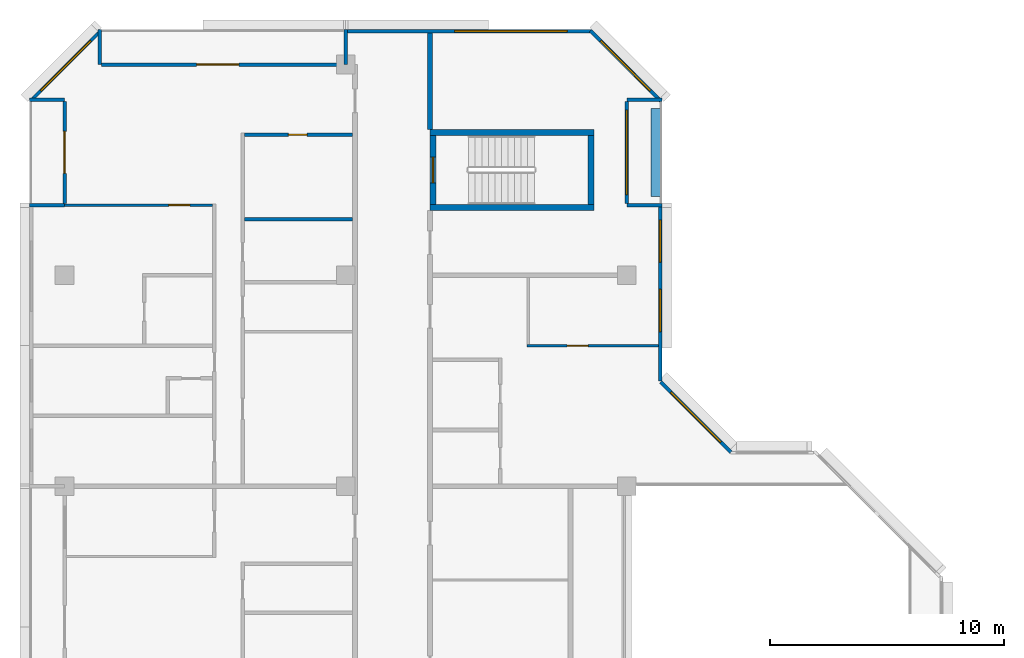
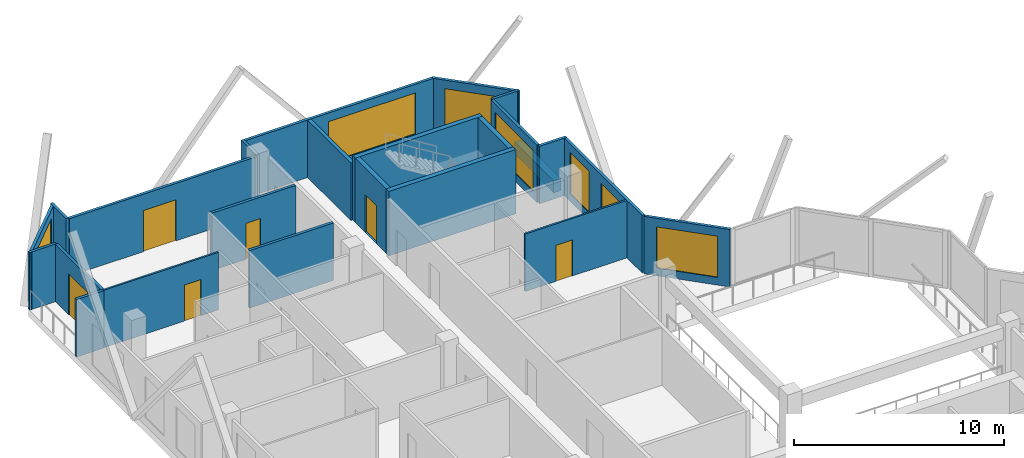
# One storey, part 10 of 13: 24 walls, 7 windows, 6 doors, 13 openings.
"""IFC4 building model written with IfcOpenShell, lengths in metres."""

import ifcopenshell
import ifcopenshell.guid

model = None  # the IFC model being written
_history = None  # IfcOwnerHistory: only IFC2X3 demands one
_inside = {}  # id of a spatial element -> (the spatial element, [elements in it])
_under = {}  # id of a project, library or spatial element -> (it, [spatial elements below it])
_declared = {}  # id of a project -> (the project, [libraries it declares])
_typed = {}  # id of a type object -> (the type object, [elements of that type])
_made_of = {}  # id of a material, layer set ... -> (it, [elements and type objects made of it])


def new_model(schema):
    """Start an empty IFC model of exactly this schema.

    Asked for "IFC4X3", IfcOpenShell would pick the latest addendum, in which some entities
    have other attributes; the version numbers below select the first issue.
    IFC2X3 requires an IfcOwnerHistory on every rooted entity: one is made here for all.
    """
    global model, _history
    if schema == "IFC4X3":
        model = ifcopenshell.file(schema_version=(4, 3, 0, 0))
    else:
        model = ifcopenshell.file(schema=schema)
    _inside.clear()
    _under.clear()
    _declared.clear()
    _typed.clear()
    _made_of.clear()
    _history = None
    if model.schema == "IFC2X3":
        org = make("IfcOrganization", Name="unknown")
        user = make(
            "IfcPersonAndOrganization",
            ThePerson=make("IfcPerson", FamilyName="unknown"),
            TheOrganization=org,
        )
        app = make(
            "IfcApplication",
            ApplicationDeveloper=org,
            Version="unknown",
            ApplicationFullName="unknown",
            ApplicationIdentifier="unknown",
        )
        _history = make(
            "IfcOwnerHistory",
            OwningUser=user,
            OwningApplication=app,
            ChangeAction="ADDED",
            CreationDate=0,
        )
    return model


def make(cls, **values):
    """One entity of the class cls with the attributes given. An attribute that is None is left unset."""
    return model.create_entity(
        cls, **{name: value for name, value in values.items() if value is not None}
    )


def rooted(cls, **values):
    """An entity with a GlobalId (a new one), such as an element, a storey or a relation."""
    return make(cls, GlobalId=ifcopenshell.guid.new(), OwnerHistory=_history, **values)


def si_unit(unit_type, name, prefix=None):
    """IfcSIUnit, for example si_unit("LENGTHUNIT", "METRE", prefix="MILLI")."""
    return make("IfcSIUnit", UnitType=unit_type, Prefix=prefix, Name=name)


def assignment(units):
    """IfcUnitAssignment: the units of a project."""
    return None if units is None else make("IfcUnitAssignment", Units=units)


def point(xyz):
    """IfcCartesianPoint."""
    return None if xyz is None else make("IfcCartesianPoint", Coordinates=xyz)


def direction(xyz):
    """IfcDirection."""
    return None if xyz is None else make("IfcDirection", DirectionRatios=xyz)


def frame(location, z_axis=None, x_axis=None):
    """IfcAxis2Placement3D, a coordinate frame: its origin and axes. An axis left out is left unset."""
    return make(
        "IfcAxis2Placement3D",
        Location=point(location),
        Axis=direction(z_axis),
        RefDirection=direction(x_axis),
    )


def frame_2d(location, x_axis=None):
    """IfcAxis2Placement2D, a coordinate frame in the plane: its origin and x axis."""
    return make(
        "IfcAxis2Placement2D", Location=point(location), RefDirection=direction(x_axis)
    )


def origin():
    """The frame at (0, 0, 0) with its axes left unset."""
    return frame((0.0, 0.0, 0.0))


def place(relative_to, where):
    """IfcLocalPlacement: puts the frame where relative to a parent placement (None: the world)."""
    return make(
        "IfcLocalPlacement", PlacementRelTo=relative_to, RelativePlacement=where
    )


def context(
    kind, dimensions, precision=None, world=None, true_north=None, identifier=None
):
    """IfcGeometricRepresentationContext, for example the 3D "Model" context."""
    return make(
        "IfcGeometricRepresentationContext",
        ContextIdentifier=identifier,
        ContextType=kind,
        CoordinateSpaceDimension=dimensions,
        Precision=precision,
        WorldCoordinateSystem=world,
        TrueNorth=true_north,
    )


def subcontext(parent, identifier, kind, view, scale=None):
    """IfcGeometricRepresentationSubContext, for example "Body" below "Model"."""
    return make(
        "IfcGeometricRepresentationSubContext",
        ContextIdentifier=identifier,
        ContextType=kind,
        ParentContext=parent,
        TargetScale=scale,
        TargetView=view,
    )


def project(units=None, contexts=None):
    """IfcProject with its units and contexts."""
    return rooted(
        "IfcProject",
        Name="project",
        RepresentationContexts=contexts,
        UnitsInContext=assignment(units),
    )


def spatial(cls, under=None, at=None, **own):
    """A site, building, storey or space (cls), placed at a placement, below another one or the project."""
    s = rooted(cls, ObjectPlacement=at, **own)
    if under is not None:
        _under.setdefault(under.id(), (under, []))[1].append(s)
    return s


def profile(cls, at=None, kind="AREA", **sizes):
    """A parametric profile (cls). Its sizes go by their IFC names, for example OverallWidth=200.0."""
    return make(cls, ProfileType=kind, Position=at, **sizes)


def rectangle(**sizes):
    """IfcRectangleProfileDef."""
    return profile("IfcRectangleProfileDef", **sizes)


def extrude(swept, where, along, depth):
    """IfcExtrudedAreaSolid: the profile swept, set in the frame where, extruded along a direction by depth."""
    return make(
        "IfcExtrudedAreaSolid",
        SweptArea=swept,
        Position=where,
        ExtrudedDirection=direction(along),
        Depth=depth,
    )


def shape(context_of_items, identifier, shape_type, items):
    """IfcShapeRepresentation: the items that make up one representation, for example the "Body"."""
    return make(
        "IfcShapeRepresentation",
        ContextOfItems=context_of_items,
        RepresentationIdentifier=identifier,
        RepresentationType=shape_type,
        Items=items,
    )


def material(Name=None, Category=None):
    """IfcMaterial."""
    return make("IfcMaterial", Name=Name, Category=Category)


def layer(
    of_material, thickness, ventilated=None, Name=None, Category=None, Priority=None
):
    """IfcMaterialLayer: one layer of a wall or slab, of a material (None: an air gap)."""
    return make(
        "IfcMaterialLayer",
        Material=of_material,
        LayerThickness=thickness,
        IsVentilated=ventilated,
        Name=Name,
        Category=Category,
        Priority=Priority,
    )


def layer_set(layers, Name=None):
    """IfcMaterialLayerSet."""
    return make("IfcMaterialLayerSet", MaterialLayers=layers, LayerSetName=Name)


def made_of(thing, what):
    """Note that an element or type object is made of a material, layer set ...; save() writes the relation."""
    if what is not None:
        _made_of.setdefault(what.id(), (what, []))[1].append(thing)
    return thing


def type_object(cls, material=None, **own):
    """A type object (cls), such as IfcWallType, which elements share."""
    return made_of(rooted(cls, **own), material)


def element(
    cls,
    number,
    at=None,
    inside=None,
    cuts=None,
    type_object=None,
    material=None,
    context=None,
    identifier="Body",
    shape_type=None,
    held_by="IfcProductDefinitionShape",
    body=None,
    shapes=None,
    **own,
):
    """One element of the class cls, such as IfcWall. Its Tag is "e" and its number.

    at: its placement. inside: the storey or other place that contains it. cuts: it is an
    opening in that element (IfcRelVoidsElement). A single representation is given by context,
    identifier, shape_type and body (its items); several are given by shapes. held_by: the class
    of the entity that holds the representations. save() writes the other relations.
    """
    e = rooted(cls, Tag="e%d" % number, ObjectPlacement=at, **own)
    if body is not None:
        shapes = [shape(context, identifier, shape_type, body)]
    if shapes is not None:
        e.Representation = make(held_by, Representations=shapes)
    if inside is not None:
        _inside.setdefault(inside.id(), (inside, []))[1].append(e)
    if cuts is not None:
        rooted(
            "IfcRelVoidsElement", RelatingBuildingElement=cuts, RelatedOpeningElement=e
        )
    if type_object is not None:
        _typed.setdefault(type_object.id(), (type_object, []))[1].append(e)
    return made_of(e, material)


def fill(opening, filler):
    """IfcRelFillsElement: the door or window that sits in an opening."""
    return rooted(
        "IfcRelFillsElement",
        RelatingOpeningElement=opening,
        RelatedBuildingElement=filler,
    )


def aggregate(whole, parts):
    """IfcRelAggregates: a whole, such as a stair, and the parts it consists of."""
    return rooted("IfcRelAggregates", RelatingObject=whole, RelatedObjects=parts)


def save(model, path):
    """Write the relations noted so far, then the file.

    IfcRelAggregates (storeys below a building ...), IfcRelContainedInSpatialStructure (elements
    in a storey), IfcRelDefinesByType, IfcRelAssociatesMaterial and IfcRelDeclares: one each for
    every whole, place, type object, material and project.
    """
    for whole, parts in _under.values():
        aggregate(whole, parts)
    for where, things in _inside.values():
        rooted(
            "IfcRelContainedInSpatialStructure",
            RelatedElements=things,
            RelatingStructure=where,
        )
    for kind, things in _typed.values():
        rooted("IfcRelDefinesByType", RelatedObjects=things, RelatingType=kind)
    for what, things in _made_of.values():
        rooted("IfcRelAssociatesMaterial", RelatedObjects=things, RelatingMaterial=what)
    for by, libraries in _declared.values():
        rooted("IfcRelDeclares", RelatingContext=by, RelatedDefinitions=libraries)
    model.write(path)


model = new_model("IFC4")

# Units and contexts
model_context = context("Model", 3, precision=1e-05, world=origin(), true_north=direction((0.0, 1.0)))
body_context = subcontext(model_context, "Body", "Model", "MODEL_VIEW")
ifc_project = project(units=[si_unit("LENGTHUNIT", "METRE"), si_unit("AREAUNIT", "SQUARE_METRE"), si_unit("VOLUMEUNIT", "CUBIC_METRE"), si_unit("PLANEANGLEUNIT", "RADIAN"), si_unit("MASSUNIT", "GRAM", prefix="KILO")], contexts=[model_context])

# Site, building, storey
site_placement = place(None, origin())
site = spatial("IfcSite", under=ifc_project, at=site_placement, CompositionType="ELEMENT")
building_placement = place(site_placement, origin())
building = spatial("IfcBuilding", under=site, at=building_placement, Name="Chenar Terraces", CompositionType="ELEMENT")
storey_placement = place(building_placement, frame((0.0, 0.0, 288.39990234375)))
storey = spatial("IfcBuildingStorey", under=building, at=storey_placement, Name="L67", CompositionType="ELEMENT", Elevation=288.39990234375)

# Walls
ifc_material_1 = material(Name="Concrete C50/60", Category="concrete")
ifc_layer_1 = layer(ifc_material_1, 0.25)
ifc_layer_set_1 = layer_set([ifc_layer_1], Name="Concrete C50/60")
wall_type_1 = type_object("IfcWallType", Name="Core wall 250 Concrete C50/60", PredefinedType="SHEAR", material=ifc_layer_set_1)
for number, where, z_axis, x_axis, name in (
    (1, (15.60009765625, 47.89990234375, 0.0), (0.0, 0.0, 1.0), (1.0, 0.0, 0.0), "Core wall ST4_S L67"),
    (2, (15.60009765625, 51.10009765625, 0.0), (0.0, 0.0, 1.0), (1.0, 0.0, 0.0), "Core wall ST4_N L67"),
):
    element("IfcWall", number, at=place(storey_placement, frame(where, z_axis=z_axis, x_axis=x_axis)), inside=storey, type_object=wall_type_1, Name=name, PredefinedType="SHEAR", context=body_context, shape_type="SweptSolid", body=[
        extrude(rectangle(XDim=7.0, YDim=0.25, at=frame_2d((3.5, 0.0))), origin(), (0.0, 0.0, 1.0), 3.75),
    ])

# Wall, opening, door
wall_1_placement = place(storey_placement, frame((15.72509765625, 48.02490234375, 0.0), z_axis=(0.0, 0.0, 1.0), x_axis=(0.0, 1.0, 0.0)))
wall_1 = element("IfcWall", 3, at=wall_1_placement, inside=storey, type_object=wall_type_1, Name="Core wall ST4_W L67", PredefinedType="SHEAR", context=body_context, shape_type="SweptSolid", body=[
    extrude(rectangle(XDim=2.9501953125, YDim=0.25, at=frame_2d((1.47509765625, 0.0))), origin(), (0.0, 0.0, 1.0), 3.75),
])
opening_1_placement = place(wall_1_placement, frame((0.925048828125, 0.0, 0.0)))
opening_1 = element("IfcOpeningElement", 4, at=opening_1_placement, cuts=wall_1, Name="Opening DL67-C9", PredefinedType="OPENING", context=body_context, shape_type="SweptSolid", body=[
    extrude(rectangle(XDim=1.10009765625, YDim=2.199951171875, at=frame_2d((0.550048828125, 1.10009765625))), frame((0.0, 0.135009765625, 0.0), z_axis=(0.0, -1.0, 0.0), x_axis=(1.0, 0.0, 0.0)), (0.0, 0.0, 1.0), 0.27001953125),
])
ifc_material_2 = material(Name="Steel-framed fire-resisting door leaf", Category="steel")
door_type_1 = type_object("IfcDoorType", Name="Stair fire door FD60 1100 x 2200", OperationType="SINGLE_SWING_LEFT", PredefinedType="DOOR", material=ifc_material_2)
door_1_placement = place(opening_1_placement, frame((1.10009765625, 0.0, 0.0), z_axis=(0.0, 0.0, 1.0), x_axis=(-1.0, 0.0, 0.0)))
door_1 = element("IfcDoor", 5, at=door_1_placement, inside=storey, type_object=door_type_1, Name="Stair door DL67-C9", OperationType="SINGLE_SWING_RIGHT", OverallHeight=2.199951171875, OverallWidth=1.10009765625, PredefinedType="DOOR", context=body_context, shape_type="SweptSolid", body=[
    extrude(rectangle(XDim=1.10009765625, YDim=2.199951171875, at=frame_2d((0.550048828125, 1.10009765625))), frame((0.0, 0.02490234375, 0.0), z_axis=(0.0, -1.0, 0.0), x_axis=(1.0, 0.0, 0.0)), (0.0, 0.0, 1.0), 0.050048828125),
])
fill(opening_1, door_1)

# Walls
wall_2_placement = place(storey_placement, frame((22.47509765625, 48.02490234375, 0.0), z_axis=(0.0, 0.0, 1.0), x_axis=(0.0, 1.0, 0.0)))
element("IfcWall", 6, at=wall_2_placement, inside=storey, type_object=wall_type_1, Name="Core wall ST4_E L67", PredefinedType="SHEAR", context=body_context, shape_type="SweptSolid", body=[
    extrude(rectangle(XDim=2.9501953125, YDim=0.25, at=frame_2d((1.47509765625, 0.0))), origin(), (0.0, 0.0, 1.0), 3.75),
])
ifc_material_3 = material(Name="Gypsum board on steel studs with fire boards", Category="steel")
ifc_layer_2 = layer(ifc_material_3, 0.199951171875)
ifc_layer_set_2 = layer_set([ifc_layer_2], Name="Gypsum board on steel studs with fire boards")
wall_type_2 = type_object("IfcWallType", Name="Corridor wall 200", PredefinedType="PARTITIONING", material=ifc_layer_set_2)
wall_3_placement = place(storey_placement, frame((15.60009765625, 51.22509765625, 0.0), z_axis=(0.0, 0.0, 1.0), x_axis=(0.0, 1.0, 0.0)))
element("IfcWall", 7, at=wall_3_placement, inside=storey, type_object=wall_type_2, Name="Partition L67-032", PredefinedType="PARTITIONING", context=body_context, shape_type="SweptSolid", body=[
    extrude(rectangle(XDim=4.125, YDim=0.199951171875, at=frame_2d((2.0625, 0.0))), origin(), (0.0, 0.0, 1.0), 3.35009765625),
])

# Wall, openings, windows
ifc_material_4 = material(Name="Aluminium framed glazing", Category="aluminium")
ifc_layer_3 = layer(ifc_material_4, 0.14990234375)
ifc_layer_set_3 = layer_set([ifc_layer_3], Name="Aluminium framed glazing")
wall_type_3 = type_object("IfcWallType", Name="Glazed flush facade wall 150", PredefinedType="SOLIDWALL", material=ifc_layer_set_3)
wall_4_placement = place(storey_placement, frame((25.425048828125, 40.5, 0.0), z_axis=(0.0, 0.0, 1.0), x_axis=(0.0, 1.0, 0.0)))
wall_4 = element("IfcWall", 8, at=wall_4_placement, inside=storey, type_object=wall_type_3, Name="Glazed flush facade wall", PredefinedType="SOLIDWALL", context=body_context, shape_type="SweptSolid", body=[
    extrude(rectangle(XDim=7.425048828125, YDim=0.14990234375, at=frame_2d((3.71240234375, 0.0))), origin(), (0.0, 0.0, 1.0), 3.35009765625),
])
opening_2_placement = place(wall_4_placement, frame((2.10009765625, 0.0, 0.449951171875)))
opening_2 = element("IfcOpeningElement", 9, at=opening_2_placement, cuts=wall_4, Name="Opening W180x240", PredefinedType="OPENING", context=body_context, shape_type="SweptSolid", body=[
    extrude(rectangle(XDim=1.800048828125, YDim=2.39990234375, at=frame_2d((0.89990234375, 1.199951171875))), frame((0.0, 0.0849609375, 0.0), z_axis=(0.0, -1.0, 0.0), x_axis=(1.0, 0.0, 0.0)), (0.0, 0.0, 1.0), 0.169921875),
])
opening_3_placement = place(wall_4_placement, frame((5.0625, 0.0, 0.449951171875)))
opening_3 = element("IfcOpeningElement", 10, at=opening_3_placement, cuts=wall_4, Name="Opening W180x240", PredefinedType="OPENING", context=body_context, shape_type="SweptSolid", body=[
    extrude(rectangle(XDim=1.800048828125, YDim=2.39990234375, at=frame_2d((0.89990234375, 1.199951171875))), frame((0.0, 0.0849609375, 0.0), z_axis=(0.0, -1.0, 0.0), x_axis=(1.0, 0.0, 0.0)), (0.0, 0.0, 1.0), 0.169921875),
])
ifc_material_5 = material(Name="Low emissivity double glazing, aluminium frame", Category="aluminium")
window_type_1 = type_object("IfcWindowType", Name="Fixed light 1800 x 2400", PartitioningType="SINGLE_PANEL", PredefinedType="WINDOW", material=ifc_material_5)
window_1_placement = place(opening_2_placement, origin())
window_1 = element("IfcWindow", 11, at=window_1_placement, inside=storey, type_object=window_type_1, Name="Window", OverallHeight=2.39990234375, OverallWidth=1.800048828125, PartitioningType="SINGLE_PANEL", PredefinedType="WINDOW", context=body_context, shape_type="SweptSolid", body=[
    extrude(rectangle(XDim=1.800048828125, YDim=2.39990234375, at=frame_2d((0.89990234375, 1.199951171875))), frame((0.0, 0.030029296875, 0.0), z_axis=(0.0, -1.0, 0.0), x_axis=(1.0, 0.0, 0.0)), (0.0, 0.0, 1.0), 0.06005859375),
])
fill(opening_2, window_1)
window_2_placement = place(opening_3_placement, origin())
window_2 = element("IfcWindow", 12, at=window_2_placement, inside=storey, type_object=window_type_1, Name="Window", OverallHeight=2.39990234375, OverallWidth=1.800048828125, PartitioningType="SINGLE_PANEL", PredefinedType="WINDOW", context=body_context, shape_type="SweptSolid", body=[
    extrude(rectangle(XDim=1.800048828125, YDim=2.39990234375, at=frame_2d((0.89990234375, 1.199951171875))), frame((0.0, 0.030029296875, 0.0), z_axis=(0.0, -1.0, 0.0), x_axis=(1.0, 0.0, 0.0)), (0.0, 0.0, 1.0), 0.06005859375),
])
fill(opening_3, window_2)

# Wall, opening, window
wall_5_placement = place(storey_placement, frame((22.5, 55.425048828125, 0.0), z_axis=(0.0, 0.0, 1.0), x_axis=(-1.0, 0.0, 0.0)))
wall_5 = element("IfcWall", 13, at=wall_5_placement, inside=storey, type_object=wall_type_3, Name="Glazed flush facade wall", PredefinedType="SOLIDWALL", context=body_context, shape_type="SweptSolid", body=[
    extrude(rectangle(XDim=10.425048828125, YDim=0.14990234375, at=frame_2d((5.21240234375, 0.0))), origin(), (0.0, 0.0, 1.0), 3.35009765625),
])
opening_4_placement = place(wall_5_placement, frame((1.050048828125, 0.0, 0.449951171875)))
opening_4 = element("IfcOpeningElement", 14, at=opening_4_placement, cuts=wall_5, Name="Opening W480x240", PredefinedType="OPENING", context=body_context, shape_type="SweptSolid", body=[
    extrude(rectangle(XDim=4.800048828125, YDim=2.39990234375, at=frame_2d((2.39990234375, 1.199951171875))), frame((0.0, 0.0849609375, 0.0), z_axis=(0.0, -1.0, 0.0), x_axis=(1.0, 0.0, 0.0)), (0.0, 0.0, 1.0), 0.169921875),
])
ifc_material_6 = material(Name="Low emissivity double glazing, aluminium frame", Category="aluminium")
window_type_2 = type_object("IfcWindowType", Name="Fixed light 4800 x 2400", PartitioningType="SINGLE_PANEL", PredefinedType="WINDOW", material=ifc_material_6)
window_3_placement = place(opening_4_placement, origin())
window_3 = element("IfcWindow", 15, at=window_3_placement, inside=storey, type_object=window_type_2, Name="Window", OverallHeight=2.39990234375, OverallWidth=4.800048828125, PartitioningType="SINGLE_PANEL", PredefinedType="WINDOW", context=body_context, shape_type="SweptSolid", body=[
    extrude(rectangle(XDim=4.800048828125, YDim=2.39990234375, at=frame_2d((2.39990234375, 1.199951171875))), frame((0.0, 0.030029296875, 0.0), z_axis=(0.0, -1.0, 0.0), x_axis=(1.0, 0.0, 0.0)), (0.0, 0.0, 1.0), 0.06005859375),
])
fill(opening_4, window_3)

ifc_material_7 = material(Name="Aluminium framed glazing", Category="aluminium")
ifc_layer_4 = layer(ifc_material_7, 0.14990234375)
ifc_layer_set_4 = layer_set([ifc_layer_4], Name="Aluminium framed glazing")
wall_type_4 = type_object("IfcWallType", Name="Glazed loggia back wall 150", PredefinedType="SOLIDWALL", material=ifc_layer_set_4)
wall_6_placement = place(storey_placement, frame((24.0, 48.074951171875, 0.0), z_axis=(0.0, 0.0, 1.0), x_axis=(0.0, 1.0, 0.0)))
wall_6 = element("IfcWall", 16, at=wall_6_placement, inside=storey, type_object=wall_type_4, Name="Glazed loggia back wall", PredefinedType="SOLIDWALL", context=body_context, shape_type="SweptSolid", body=[
    extrude(rectangle(XDim=4.35009765625, YDim=0.14990234375, at=frame_2d((2.175048828125, 0.0))), origin(), (0.0, 0.0, 1.0), 3.35009765625),
])
opening_5_placement = place(wall_6_placement, frame((0.375, 0.0, 0.449951171875)))
opening_5 = element("IfcOpeningElement", 17, at=opening_5_placement, cuts=wall_6, Name="Opening W360x240", PredefinedType="OPENING", context=body_context, shape_type="SweptSolid", body=[
    extrude(rectangle(XDim=3.60009765625, YDim=2.39990234375, at=frame_2d((1.800048828125, 1.199951171875))), frame((0.0, 0.0849609375, 0.0), z_axis=(0.0, -1.0, 0.0), x_axis=(1.0, 0.0, 0.0)), (0.0, 0.0, 1.0), 0.169921875),
])
ifc_material_8 = material(Name="Low emissivity double glazing, aluminium frame", Category="aluminium")
window_type_3 = type_object("IfcWindowType", Name="Fixed light 3600 x 2400", PartitioningType="SINGLE_PANEL", PredefinedType="WINDOW", material=ifc_material_8)
window_4_placement = place(opening_5_placement, origin())
window_4 = element("IfcWindow", 18, at=window_4_placement, inside=storey, type_object=window_type_3, Name="Window", OverallHeight=2.39990234375, OverallWidth=3.60009765625, PartitioningType="SINGLE_PANEL", PredefinedType="WINDOW", context=body_context, shape_type="SweptSolid", body=[
    extrude(rectangle(XDim=3.60009765625, YDim=2.39990234375, at=frame_2d((1.800048828125, 1.199951171875))), frame((0.0, 0.030029296875, 0.0), z_axis=(0.0, -1.0, 0.0), x_axis=(1.0, 0.0, 0.0)), (0.0, 0.0, 1.0), 0.06005859375),
])
fill(opening_5, window_4)

# Wall, opening, door
wall_7_placement = place(storey_placement, frame((11.925048828125, 54.0, 0.0), z_axis=(0.0, 0.0, 1.0), x_axis=(-1.0, 0.0, 0.0)))
wall_7 = element("IfcWall", 19, at=wall_7_placement, inside=storey, type_object=wall_type_4, Name="Glazed loggia back wall", PredefinedType="SOLIDWALL", context=body_context, shape_type="SweptSolid", body=[
    extrude(rectangle(XDim=10.35009765625, YDim=0.14990234375, at=frame_2d((5.175048828125, 0.0))), origin(), (0.0, 0.0, 1.0), 3.35009765625),
])
opening_6_placement = place(wall_7_placement, frame((4.487548828125, 0.0, 0.0)))
opening_6 = element("IfcOpeningElement", 20, at=opening_6_placement, cuts=wall_7, Name="Opening DL67-G2", PredefinedType="OPENING", context=body_context, shape_type="SweptSolid", body=[
    extrude(rectangle(XDim=1.800048828125, YDim=2.39990234375, at=frame_2d((0.89990234375, 1.199951171875))), frame((0.0, 0.0849609375, 0.0), z_axis=(0.0, -1.0, 0.0), x_axis=(1.0, 0.0, 0.0)), (0.0, 0.0, 1.0), 0.169921875),
])
ifc_material_9 = material(Name="Low emissivity double glazing, aluminium frame", Category="aluminium")
door_type_2 = type_object("IfcDoorType", Name="Loggia glazed double door 1800 x 2400", OperationType="DOUBLE_DOOR_SINGLE_SWING", PredefinedType="DOOR", material=ifc_material_9)
door_2_placement = place(opening_6_placement, frame((1.800048828125, 0.0, 0.0), z_axis=(0.0, 0.0, 1.0), x_axis=(-1.0, 0.0, 0.0)))
door_2 = element("IfcDoor", 21, at=door_2_placement, inside=storey, type_object=door_type_2, Name="Loggia glazed door", OperationType="DOUBLE_DOOR_SINGLE_SWING", OverallHeight=2.39990234375, OverallWidth=1.800048828125, PredefinedType="DOOR", context=body_context, shape_type="SweptSolid", body=[
    extrude(rectangle(XDim=1.800048828125, YDim=2.39990234375, at=frame_2d((0.89990234375, 1.199951171875))), frame((0.0, 0.02490234375, 0.0), z_axis=(0.0, -1.0, 0.0), x_axis=(1.0, 0.0, 0.0)), (0.0, 0.0, 1.0), 0.050048828125),
])
fill(opening_6, door_2)

wall_8_placement = place(storey_placement, frame((0.0, 52.425048828125, 0.0), z_axis=(0.0, 0.0, 1.0), x_axis=(0.0, -1.0, 0.0)))
wall_8 = element("IfcWall", 22, at=wall_8_placement, inside=storey, type_object=wall_type_4, Name="Glazed loggia back wall", PredefinedType="SOLIDWALL", context=body_context, shape_type="SweptSolid", body=[
    extrude(rectangle(XDim=4.35009765625, YDim=0.14990234375, at=frame_2d((2.175048828125, 0.0))), origin(), (0.0, 0.0, 1.0), 3.35009765625),
])
opening_7_placement = place(wall_8_placement, frame((1.27490234375, 0.0, 0.0)))
opening_7 = element("IfcOpeningElement", 23, at=opening_7_placement, cuts=wall_8, Name="Opening DL67-G3", PredefinedType="OPENING", context=body_context, shape_type="SweptSolid", body=[
    extrude(rectangle(XDim=1.800048828125, YDim=2.39990234375, at=frame_2d((0.89990234375, 1.199951171875))), frame((0.0, 0.0849609375, 0.0), z_axis=(0.0, -1.0, 0.0), x_axis=(1.0, 0.0, 0.0)), (0.0, 0.0, 1.0), 0.169921875),
])
door_3_placement = place(opening_7_placement, frame((1.800048828125, 0.0, 0.0), z_axis=(0.0, 0.0, 1.0), x_axis=(-1.0, 0.0, 0.0)))
door_3 = element("IfcDoor", 24, at=door_3_placement, inside=storey, type_object=door_type_2, Name="Loggia glazed door", OperationType="DOUBLE_DOOR_SINGLE_SWING", OverallHeight=2.39990234375, OverallWidth=1.800048828125, PredefinedType="DOOR", context=body_context, shape_type="SweptSolid", body=[
    extrude(rectangle(XDim=1.800048828125, YDim=2.39990234375, at=frame_2d((0.89990234375, 1.199951171875))), frame((0.0, 0.02490234375, 0.0), z_axis=(0.0, -1.0, 0.0), x_axis=(1.0, 0.0, 0.0)), (0.0, 0.0, 1.0), 0.050048828125),
])
fill(opening_7, door_3)

ifc_material_10 = material(Name="Gypsum board on steel studs", Category="steel")
ifc_layer_5 = layer(ifc_material_10, 0.10009765625)
ifc_layer_set_5 = layer_set([ifc_layer_5], Name="Gypsum board on steel studs")
wall_type_5 = type_object("IfcWallType", Name="Gypsum partition 100", PredefinedType="PARTITIONING", material=ifc_layer_set_5)
wall_9_placement = place(storey_placement, frame((0.0, 48.0, 0.0), z_axis=(0.0, 0.0, 1.0), x_axis=(1.0, 0.0, 0.0)))
wall_9 = element("IfcWall", 25, at=wall_9_placement, inside=storey, type_object=wall_type_5, Name="Partition L67-006", PredefinedType="PARTITIONING", context=body_context, shape_type="SweptSolid", body=[
    extrude(rectangle(XDim=6.324951171875, YDim=0.10009765625, at=frame_2d((3.16259765625, 0.0))), origin(), (0.0, 0.0, 1.0), 3.35009765625),
])
opening_8_placement = place(wall_9_placement, frame((4.449951171875, 0.0, 0.0)))
opening_8 = element("IfcOpeningElement", 26, at=opening_8_placement, cuts=wall_9, Name="Opening DL67-22", PredefinedType="OPENING", context=body_context, shape_type="SweptSolid", body=[
    extrude(rectangle(XDim=0.89990234375, YDim=2.10009765625, at=frame_2d((0.449951171875, 1.050048828125))), frame((0.0, 0.06005859375, 0.0), z_axis=(0.0, -1.0, 0.0), x_axis=(1.0, 0.0, 0.0)), (0.0, 0.0, 1.0), 0.1201171875),
])
ifc_material_11 = material(Name="Veneered timber door leaf", Category="wood")
door_type_3 = type_object("IfcDoorType", Name="Door 900 x 2100", OperationType="SINGLE_SWING_LEFT", PredefinedType="DOOR", material=ifc_material_11)
door_4_placement = place(opening_8_placement, frame((0.89990234375, 0.0, 0.0), z_axis=(0.0, 0.0, 1.0), x_axis=(-1.0, 0.0, 0.0)))
door_4 = element("IfcDoor", 27, at=door_4_placement, inside=storey, type_object=door_type_3, Name="Door DL67-22", OperationType="SINGLE_SWING_LEFT", OverallHeight=2.10009765625, OverallWidth=0.89990234375, PredefinedType="DOOR", context=body_context, shape_type="SweptSolid", body=[
    extrude(rectangle(XDim=0.89990234375, YDim=2.10009765625, at=frame_2d((0.449951171875, 1.050048828125))), frame((0.0, 0.02490234375, 0.0), z_axis=(0.0, -1.0, 0.0), x_axis=(1.0, 0.0, 0.0)), (0.0, 0.0, 1.0), 0.050048828125),
])
fill(opening_8, door_4)

wall_10_placement = place(storey_placement, frame((19.75, 42.0, 0.0), z_axis=(0.0, 0.0, 1.0), x_axis=(1.0, 0.0, 0.0)))
wall_10 = element("IfcWall", 28, at=wall_10_placement, inside=storey, type_object=wall_type_5, Name="Partition L67-040", PredefinedType="PARTITIONING", context=body_context, shape_type="SweptSolid", body=[
    extrude(rectangle(XDim=5.60009765625, YDim=0.10009765625, at=frame_2d((2.800048828125, 0.0))), origin(), (0.0, 0.0, 1.0), 3.35009765625),
])
opening_9_placement = place(wall_10_placement, frame((1.699951171875, 0.0, 0.0)))
opening_9 = element("IfcOpeningElement", 29, at=opening_9_placement, cuts=wall_10, Name="Opening DL67-17", PredefinedType="OPENING", context=body_context, shape_type="SweptSolid", body=[
    extrude(rectangle(XDim=0.89990234375, YDim=2.10009765625, at=frame_2d((0.449951171875, 1.050048828125))), frame((0.0, 0.06005859375, 0.0), z_axis=(0.0, -1.0, 0.0), x_axis=(1.0, 0.0, 0.0)), (0.0, 0.0, 1.0), 0.1201171875),
])
door_5_placement = place(opening_9_placement, origin())
door_5 = element("IfcDoor", 30, at=door_5_placement, inside=storey, type_object=door_type_3, Name="Door DL67-17", OperationType="SINGLE_SWING_LEFT", OverallHeight=2.10009765625, OverallWidth=0.89990234375, PredefinedType="DOOR", context=body_context, shape_type="SweptSolid", body=[
    extrude(rectangle(XDim=0.89990234375, YDim=2.10009765625, at=frame_2d((0.449951171875, 1.050048828125))), frame((0.0, 0.02490234375, 0.0), z_axis=(0.0, -1.0, 0.0), x_axis=(1.0, 0.0, 0.0)), (0.0, 0.0, 1.0), 0.050048828125),
])
fill(opening_9, door_5)

# Walls
ifc_material_12 = material(Name="Terracotta cladding on insulated backing", Category="masonry")
ifc_layer_6 = layer(ifc_material_12, 0.14990234375)
ifc_layer_set_6 = layer_set([ifc_layer_6], Name="Terracotta cladding on insulated backing")
wall_type_6 = type_object("IfcWallType", Name="Loggia return wall 150", PredefinedType="SOLIDWALL", material=ifc_layer_set_6)
for number, where, z_axis, x_axis, name in (
    (31, (25.5, 48.0, 0.0), (0.0, 0.0, 1.0), (-1.0, 0.0, 0.0), "Loggia return wall"),
    (32, (25.5, 52.5, 0.0), (0.0, 0.0, 1.0), (-1.0, 0.0, 0.0), "Loggia return wall"),
    (33, (12.0, 55.5, 0.0), (0.0, 0.0, 1.0), (0.0, -1.0, 0.0), "Loggia return wall"),
    (34, (1.5, 55.5, 0.0), (0.0, 0.0, 1.0), (0.0, -1.0, 0.0), "Loggia return wall"),
    (35, (-1.5, 52.5, 0.0), (0.0, 0.0, 1.0), (1.0, 0.0, 0.0), "Loggia return wall"),
    (36, (-1.5, 48.0, 0.0), (0.0, 0.0, 1.0), (1.0, 0.0, 0.0), "Loggia return wall"),
):
    element("IfcWall", number, at=place(storey_placement, frame(where, z_axis=z_axis, x_axis=x_axis)), inside=storey, type_object=wall_type_6, Name=name, PredefinedType="SOLIDWALL", context=body_context, shape_type="SweptSolid", body=[
        extrude(rectangle(XDim=1.5, YDim=0.14990234375, at=frame_2d((0.75, 0.0))), origin(), (0.0, 0.0, 1.0), 3.35009765625),
    ])

# Wall, opening, window
ifc_material_13 = material(Name="Terracotta cladding on insulated backing", Category="masonry")
ifc_layer_7 = layer(ifc_material_13, 0.14990234375)
ifc_layer_set_7 = layer_set([ifc_layer_7], Name="Terracotta cladding on insulated backing")
wall_type_7 = type_object("IfcWallType", Name="Terracotta rainscreen wall 150", PredefinedType="SOLIDWALL", material=ifc_layer_set_7)
wall_11_placement = place(storey_placement, frame((28.447021484375, 37.447021484375, 0.0), z_axis=(0.0, 0.0, 1.0), x_axis=(-0.707106781187, 0.707106781187, 0.0)))
wall_11 = element("IfcWall", 37, at=wall_11_placement, inside=storey, type_object=wall_type_7, Name="Terracotta rainscreen wall", PredefinedType="SOLIDWALL", context=body_context, shape_type="SweptSolid", body=[
    extrude(rectangle(XDim=4.24267578125, YDim=0.14990234375, at=frame_2d((2.121337890625, 0.0))), origin(), (0.0, 0.0, 1.0), 3.35009765625),
])
opening_10_placement = place(wall_11_placement, frame((0.621337890625, 0.0, 0.449951171875)))
opening_10 = element("IfcOpeningElement", 38, at=opening_10_placement, cuts=wall_11, Name="Opening W300x240", PredefinedType="OPENING", context=body_context, shape_type="SweptSolid", body=[
    extrude(rectangle(XDim=3.0, YDim=2.39990234375, at=frame_2d((1.5, 1.199951171875))), frame((0.0, 0.0849609375, 0.0), z_axis=(0.0, -1.0, 0.0), x_axis=(1.0, 0.0, 0.0)), (0.0, 0.0, 1.0), 0.169921875),
])
ifc_material_14 = material(Name="Low emissivity double glazing, aluminium frame", Category="aluminium")
window_type_4 = type_object("IfcWindowType", Name="Fixed light 3000 x 2400", PartitioningType="SINGLE_PANEL", PredefinedType="WINDOW", material=ifc_material_14)
window_5_placement = place(opening_10_placement, origin())
window_5 = element("IfcWindow", 39, at=window_5_placement, inside=storey, type_object=window_type_4, Name="Window", OverallHeight=2.39990234375, OverallWidth=3.0, PartitioningType="SINGLE_PANEL", PredefinedType="WINDOW", context=body_context, shape_type="SweptSolid", body=[
    extrude(rectangle(XDim=3.0, YDim=2.39990234375, at=frame_2d((1.5, 1.199951171875))), frame((0.0, 0.030029296875, 0.0), z_axis=(0.0, -1.0, 0.0), x_axis=(1.0, 0.0, 0.0)), (0.0, 0.0, 1.0), 0.06005859375),
])
fill(opening_10, window_5)

wall_12_placement = place(storey_placement, frame((25.447021484375, 52.447021484375, 0.0), z_axis=(0.0, 0.0, 1.0), x_axis=(-0.707106781187, 0.707106781187, 0.0)))
wall_12 = element("IfcWall", 40, at=wall_12_placement, inside=storey, type_object=wall_type_7, Name="Terracotta rainscreen wall", PredefinedType="SOLIDWALL", context=body_context, shape_type="SweptSolid", body=[
    extrude(rectangle(XDim=4.24267578125, YDim=0.14990234375, at=frame_2d((2.121337890625, 0.0))), origin(), (0.0, 0.0, 1.0), 3.35009765625),
])
opening_11_placement = place(wall_12_placement, frame((0.621337890625, 0.0, 0.449951171875)))
opening_11 = element("IfcOpeningElement", 41, at=opening_11_placement, cuts=wall_12, Name="Opening W300x240", PredefinedType="OPENING", context=body_context, shape_type="SweptSolid", body=[
    extrude(rectangle(XDim=3.0, YDim=2.39990234375, at=frame_2d((1.5, 1.199951171875))), frame((0.0, 0.0849609375, 0.0), z_axis=(0.0, -1.0, 0.0), x_axis=(1.0, 0.0, 0.0)), (0.0, 0.0, 1.0), 0.169921875),
])
window_6_placement = place(opening_11_placement, origin())
window_6 = element("IfcWindow", 42, at=window_6_placement, inside=storey, type_object=window_type_4, Name="Window", OverallHeight=2.39990234375, OverallWidth=3.0, PartitioningType="SINGLE_PANEL", PredefinedType="WINDOW", context=body_context, shape_type="SweptSolid", body=[
    extrude(rectangle(XDim=3.0, YDim=2.39990234375, at=frame_2d((1.5, 1.199951171875))), frame((0.0, 0.030029296875, 0.0), z_axis=(0.0, -1.0, 0.0), x_axis=(1.0, 0.0, 0.0)), (0.0, 0.0, 1.0), 0.06005859375),
])
fill(opening_11, window_6)

wall_13_placement = place(storey_placement, frame((1.552978515625, 55.447021484375, 0.0), z_axis=(0.0, 0.0, 1.0), x_axis=(-0.707106781187, -0.707106781187, 0.0)))
wall_13 = element("IfcWall", 43, at=wall_13_placement, inside=storey, type_object=wall_type_7, Name="Terracotta rainscreen wall", PredefinedType="SOLIDWALL", context=body_context, shape_type="SweptSolid", body=[
    extrude(rectangle(XDim=4.24267578125, YDim=0.14990234375, at=frame_2d((2.121337890625, 0.0))), origin(), (0.0, 0.0, 1.0), 3.35009765625),
])
opening_12_placement = place(wall_13_placement, frame((0.621337890625, 0.0, 0.449951171875)))
opening_12 = element("IfcOpeningElement", 44, at=opening_12_placement, cuts=wall_13, Name="Opening W300x240", PredefinedType="OPENING", context=body_context, shape_type="SweptSolid", body=[
    extrude(rectangle(XDim=3.0, YDim=2.39990234375, at=frame_2d((1.5, 1.199951171875))), frame((0.0, 0.0849609375, 0.0), z_axis=(0.0, -1.0, 0.0), x_axis=(1.0, 0.0, 0.0)), (0.0, 0.0, 1.0), 0.169921875),
])
window_7_placement = place(opening_12_placement, origin())
window_7 = element("IfcWindow", 45, at=window_7_placement, inside=storey, type_object=window_type_4, Name="Window", OverallHeight=2.39990234375, OverallWidth=3.0, PartitioningType="SINGLE_PANEL", PredefinedType="WINDOW", context=body_context, shape_type="SweptSolid", body=[
    extrude(rectangle(XDim=3.0, YDim=2.39990234375, at=frame_2d((1.5, 1.199951171875))), frame((0.0, 0.030029296875, 0.0), z_axis=(0.0, -1.0, 0.0), x_axis=(1.0, 0.0, 0.0)), (0.0, 0.0, 1.0), 0.06005859375),
])
fill(opening_12, window_7)

# Walls
ifc_material_15 = material(Name="GRP planter trough")
ifc_layer_8 = layer(ifc_material_15, 0.39990234375)
ifc_layer_set_8 = layer_set([ifc_layer_8], Name="GRP planter trough")
wall_type_8 = type_object("IfcWallType", Name="Vertical greenery planter 400", PredefinedType="SOLIDWALL", material=ifc_layer_set_8)
wall_14_placement = place(storey_placement, frame((25.22900390625, 48.375, 0.0), z_axis=(0.0, 0.0, 1.0), x_axis=(0.0, 1.0, 0.0)))
element("IfcWall", 46, at=wall_14_placement, inside=storey, type_object=wall_type_8, Name="Vertical greenery planter", PredefinedType="SOLIDWALL", context=body_context, shape_type="SweptSolid", body=[
    extrude(rectangle(XDim=3.75, YDim=0.39990234375, at=frame_2d((1.875, 0.0))), origin(), (0.0, 0.0, 1.0), 0.7001953125),
])
ifc_material_16 = material(Name="Moisture-resistant gypsum board on steel studs", Category="steel")
ifc_layer_9 = layer(ifc_material_16, 0.14990234375)
ifc_layer_set_9 = layer_set([ifc_layer_9], Name="Moisture-resistant gypsum board on steel studs")
wall_type_9 = type_object("IfcWallType", Name="Wet-room partition 150", PredefinedType="PARTITIONING", material=ifc_layer_set_9)
wall_15_placement = place(storey_placement, frame((7.675048828125, 47.39990234375, 0.0), z_axis=(0.0, 0.0, 1.0), x_axis=(1.0, 0.0, 0.0)))
element("IfcWall", 47, at=wall_15_placement, inside=storey, type_object=wall_type_9, Name="Partition L67-023", PredefinedType="PARTITIONING", context=body_context, shape_type="SweptSolid", body=[
    extrude(rectangle(XDim=4.625, YDim=0.14990234375, at=frame_2d((2.3125, 0.0))), origin(), (0.0, 0.0, 1.0), 3.35009765625),
])

# Wall, opening, door
wall_16_placement = place(storey_placement, frame((7.675048828125, 51.0, 0.0), z_axis=(0.0, 0.0, 1.0), x_axis=(1.0, 0.0, 0.0)))
wall_16 = element("IfcWall", 48, at=wall_16_placement, inside=storey, type_object=wall_type_9, Name="Partition L67-024", PredefinedType="PARTITIONING", context=body_context, shape_type="SweptSolid", body=[
    extrude(rectangle(XDim=4.625, YDim=0.14990234375, at=frame_2d((2.3125, 0.0))), origin(), (0.0, 0.0, 1.0), 3.35009765625),
])
opening_13_placement = place(wall_16_placement, frame((1.875, 0.0, 0.0)))
opening_13 = element("IfcOpeningElement", 49, at=opening_13_placement, cuts=wall_16, Name="Opening DL67-25", PredefinedType="OPENING", context=body_context, shape_type="SweptSolid", body=[
    extrude(rectangle(XDim=0.800048828125, YDim=2.10009765625, at=frame_2d((0.39990234375, 1.050048828125))), frame((0.0, 0.0849609375, 0.0), z_axis=(0.0, -1.0, 0.0), x_axis=(1.0, 0.0, 0.0)), (0.0, 0.0, 1.0), 0.169921875),
])
ifc_material_17 = material(Name="Veneered timber door leaf", Category="wood")
door_type_4 = type_object("IfcDoorType", Name="Door 800 x 2100", OperationType="SINGLE_SWING_LEFT", PredefinedType="DOOR", material=ifc_material_17)
door_6_placement = place(opening_13_placement, frame((0.800048828125, 0.0, 0.0), z_axis=(0.0, 0.0, 1.0), x_axis=(-1.0, 0.0, 0.0)))
door_6 = element("IfcDoor", 50, at=door_6_placement, inside=storey, type_object=door_type_4, Name="Door DL67-25", OperationType="SINGLE_SWING_RIGHT", OverallHeight=2.10009765625, OverallWidth=0.800048828125, PredefinedType="DOOR", context=body_context, shape_type="SweptSolid", body=[
    extrude(rectangle(XDim=0.800048828125, YDim=2.10009765625, at=frame_2d((0.39990234375, 1.050048828125))), frame((0.0, 0.02490234375, 0.0), z_axis=(0.0, -1.0, 0.0), x_axis=(1.0, 0.0, 0.0)), (0.0, 0.0, 1.0), 0.050048828125),
])
fill(opening_13, door_6)

save(model, "model.ifc")
